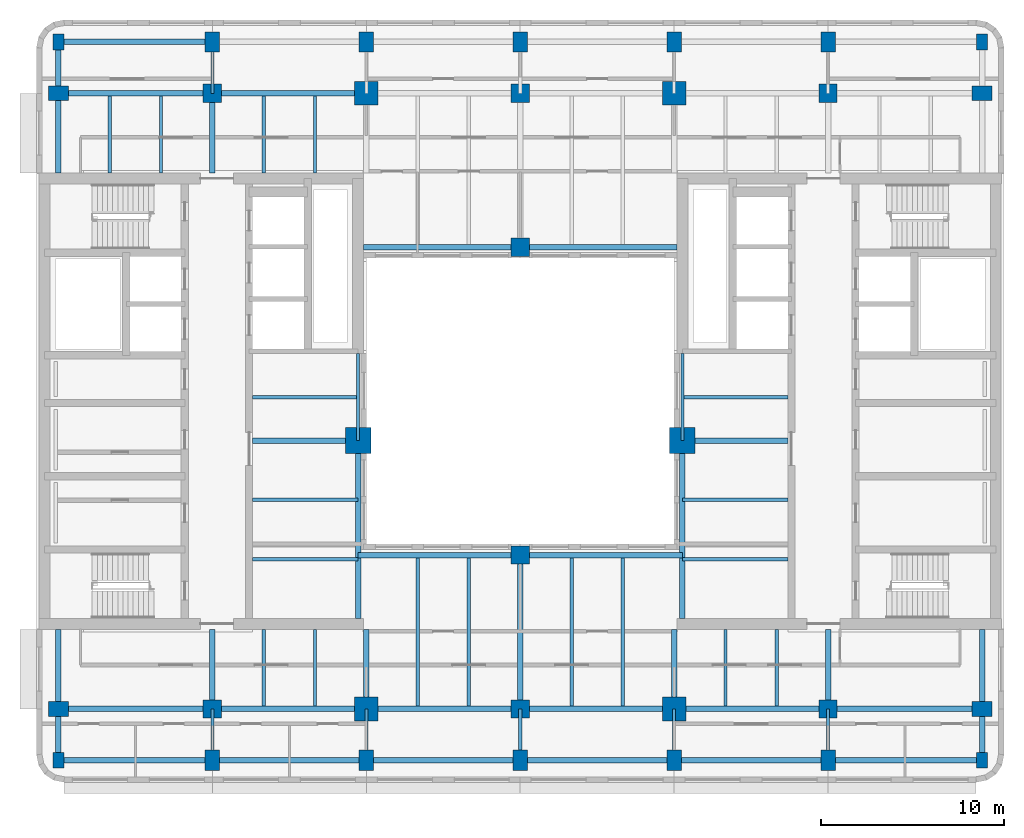
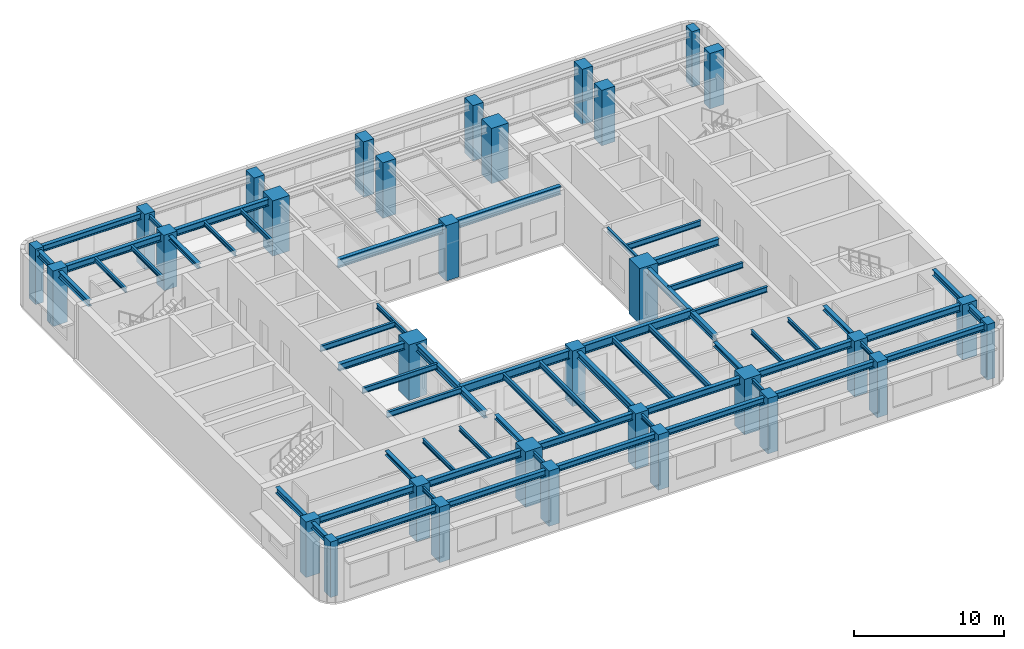
# One storey, part 1 of 11: 61 beams, 32 columns.
"""IFC4 building model written with IfcOpenShell, lengths in metres."""

from ifc_helpers import new_model, si_unit, direction, frame, origin, origin_2d, place, context, subcontext, project, spatial, rectangle, i_section, extrude, material, material_profile, profile_set, type_object, element, save


model = new_model("IFC4")

# Units and contexts
model_context = context("Model", 3, precision=1e-05, world=origin(), true_north=direction((0.0, 1.0)))
body_context = subcontext(model_context, "Body", "Model", "MODEL_VIEW")
ifc_project = project(units=[si_unit("LENGTHUNIT", "METRE"), si_unit("AREAUNIT", "SQUARE_METRE"), si_unit("VOLUMEUNIT", "CUBIC_METRE"), si_unit("PLANEANGLEUNIT", "RADIAN"), si_unit("MASSUNIT", "GRAM", prefix="KILO")], contexts=[model_context])

# Site, building, storey
site_placement = place(None, origin())
site = spatial("IfcSite", under=ifc_project, at=site_placement, CompositionType="ELEMENT")
building_placement = place(site_placement, origin())
building = spatial("IfcBuilding", under=site, at=building_placement, Name="Claustro Exchange Tower", CompositionType="ELEMENT")
storey_placement = place(building_placement, frame((0.0, 0.0, 259.199951171875)))
storey = spatial("IfcBuildingStorey", under=building, at=storey_placement, Name="L59", CompositionType="ELEMENT", Elevation=259.199951171875)

# Columns
ifc_material_1 = material(Name="Concrete HA-70 (C70/85)", Category="concrete")
ifc_material_profile_1 = material_profile(ifc_material_1, rectangle(XDim=1.39990234375, YDim=1.39990234375, at=origin_2d()), Name="RC 1400x1400")
ifc_profile_set_1 = profile_set([ifc_material_profile_1], Name="Concrete HA-70 (C70/85)")
column_type_1 = type_object("IfcColumnType", Name="C0 RC 1400x1400 HA-70 column", PredefinedType="COLUMN", material=ifc_profile_set_1)
for number, where, z_axis, x_axis, name in (
    (1, (16.35009765625, 23.050048828125, 0.0), (0.0, 0.0, 1.0), (1.0, 0.0, 0.0), "Column C0 2+7950/C+6250 L59"),
    (2, (34.050048828125, 23.050048828125, 0.0), (0.0, 0.0, 1.0), (1.0, 0.0, 0.0), "Column C0 5+450/C+6250 L59"),
):
    element("IfcColumn", number, at=place(storey_placement, frame(where, z_axis=z_axis, x_axis=x_axis)), inside=storey, type_object=column_type_1, Name=name, PredefinedType="COLUMN", context=body_context, shape_type="SweptSolid", body=[
        extrude(rectangle(XDim=1.39990234375, YDim=1.39990234375, at=origin_2d()), origin(), (0.0, 0.0, 1.0), 4.5),
    ])
ifc_material_2 = material(Name="Concrete HA-70 (C70/85)", Category="concrete")
ifc_material_profile_2 = material_profile(ifc_material_2, rectangle(XDim=1.0, YDim=1.0, at=origin_2d()), Name="RC 1000x1000")
ifc_profile_set_2 = profile_set([ifc_material_profile_2], Name="Concrete HA-70 (C70/85)")
column_type_2 = type_object("IfcColumnType", Name="C2 RC 1000x1000 HA-70 column", PredefinedType="COLUMN", material=ifc_profile_set_2)
for number, where, z_axis, x_axis, name in (
    (3, (8.39990234375, 8.39990234375, 0.0), (0.0, 0.0, 1.0), (1.0, 0.0, 0.0), "Column C2 2/B L59"),
    (4, (8.39990234375, 42.0, 0.0), (0.0, 0.0, 1.0), (1.0, 0.0, 0.0), "Column C2 2/F L59"),
    (5, (25.199951171875, 8.39990234375, 0.0), (0.0, 0.0, 1.0), (1.0, 0.0, 0.0), "Column C2 4/B L59"),
    (6, (25.199951171875, 42.0, 0.0), (0.0, 0.0, 1.0), (1.0, 0.0, 0.0), "Column C2 4/F L59"),
    (7, (25.199951171875, 16.800048828125, 0.0), (0.0, 0.0, 1.0), (1.0, 0.0, 0.0), "Column C2 4/C L59"),
    (8, (25.199951171875, 33.60009765625, 0.0), (0.0, 0.0, 1.0), (1.0, 0.0, 0.0), "Column C2 4/E L59"),
    (9, (42.0, 8.39990234375, 0.0), (0.0, 0.0, 1.0), (1.0, 0.0, 0.0), "Column C2 6/B L59"),
    (10, (42.0, 42.0, 0.0), (0.0, 0.0, 1.0), (1.0, 0.0, 0.0), "Column C2 6/F L59"),
):
    element("IfcColumn", number, at=place(storey_placement, frame(where, z_axis=z_axis, x_axis=x_axis)), inside=storey, type_object=column_type_2, Name=name, PredefinedType="COLUMN", context=body_context, shape_type="SweptSolid", body=[
        extrude(rectangle(XDim=1.0, YDim=1.0, at=origin_2d()), origin(), (0.0, 0.0, 1.0), 4.5),
    ])
ifc_material_3 = material(Name="Concrete HA-50 (C50/60)", Category="concrete")
ifc_material_profile_3 = material_profile(ifc_material_3, rectangle(XDim=0.800048828125, YDim=1.10009765625, at=origin_2d()), Name="RC 800x1100")
ifc_profile_set_3 = profile_set([ifc_material_profile_3], Name="Concrete HA-50 (C50/60)")
column_type_3 = type_object("IfcColumnType", Name="C23 RC 800x1100 HA-50 perimeter column", PredefinedType="COLUMN", material=ifc_profile_set_3)
for number, where, z_axis, x_axis, name in (
    (11, (0.0, 8.39990234375, 0.0), (0.0, 0.0, 1.0), (0.0, 1.0, 0.0), "Column C23 1/B L59"),
    (12, (0.0, 42.0, 0.0), (0.0, 0.0, 1.0), (0.0, 1.0, 0.0), "Column C23 1/F L59"),
    (13, (8.39990234375, 5.60009765625, 0.0), (0.0, 0.0, 1.0), (1.0, 0.0, 0.0), "Column C23 2/A+5600 L59"),
    (14, (8.39990234375, 44.800048828125, 0.0), (0.0, 0.0, 1.0), (1.0, 0.0, 0.0), "Column C23 2/F+2800 L59"),
    (15, (16.800048828125, 5.60009765625, 0.0), (0.0, 0.0, 1.0), (1.0, 0.0, 0.0), "Column C23 3/A+5600 L59"),
    (16, (16.800048828125, 44.800048828125, 0.0), (0.0, 0.0, 1.0), (1.0, 0.0, 0.0), "Column C23 3/F+2800 L59"),
    (17, (25.199951171875, 5.60009765625, 0.0), (0.0, 0.0, 1.0), (1.0, 0.0, 0.0), "Column C23 4/A+5600 L59"),
    (18, (25.199951171875, 44.800048828125, 0.0), (0.0, 0.0, 1.0), (1.0, 0.0, 0.0), "Column C23 4/F+2800 L59"),
    (19, (33.60009765625, 5.60009765625, 0.0), (0.0, 0.0, 1.0), (1.0, 0.0, 0.0), "Column C23 5/A+5600 L59"),
    (20, (33.60009765625, 44.800048828125, 0.0), (0.0, 0.0, 1.0), (1.0, 0.0, 0.0), "Column C23 5/F+2800 L59"),
    (21, (42.0, 5.60009765625, 0.0), (0.0, 0.0, 1.0), (1.0, 0.0, 0.0), "Column C23 6/A+5600 L59"),
    (22, (42.0, 44.800048828125, 0.0), (0.0, 0.0, 1.0), (1.0, 0.0, 0.0), "Column C23 6/F+2800 L59"),
    (23, (50.39990234375, 8.39990234375, 0.0), (0.0, 0.0, 1.0), (0.0, 1.0, 0.0), "Column C23 7/B L59"),
    (24, (50.39990234375, 42.0, 0.0), (0.0, 0.0, 1.0), (0.0, 1.0, 0.0), "Column C23 7/F L59"),
):
    element("IfcColumn", number, at=place(storey_placement, frame(where, z_axis=z_axis, x_axis=x_axis)), inside=storey, type_object=column_type_3, Name=name, PredefinedType="COLUMN", context=body_context, shape_type="SweptSolid", body=[
        extrude(rectangle(XDim=0.800048828125, YDim=1.10009765625, at=origin_2d()), origin(), (0.0, 0.0, 1.0), 4.5),
    ])
ifc_material_4 = material(Name="Concrete HA-50 (C50/60)", Category="concrete")
ifc_material_profile_4 = material_profile(ifc_material_4, rectangle(XDim=0.60009765625, YDim=0.85009765625, at=origin_2d()), Name="RC 600x850")
ifc_profile_set_4 = profile_set([ifc_material_profile_4], Name="Concrete HA-50 (C50/60)")
column_type_4 = type_object("IfcColumnType", Name="C25 RC 600x850 HA-50 corner column", PredefinedType="COLUMN", material=ifc_profile_set_4)
for number, where, z_axis, x_axis, name in (
    (25, (0.0, 5.60009765625, 0.0), (0.0, 0.0, 1.0), (1.0, 0.0, 0.0), "Column C25 1/A+5600 L59"),
    (26, (0.0, 44.800048828125, 0.0), (0.0, 0.0, 1.0), (1.0, 0.0, 0.0), "Column C25 1/F+2800 L59"),
    (27, (50.39990234375, 5.60009765625, 0.0), (0.0, 0.0, 1.0), (1.0, 0.0, 0.0), "Column C25 7/A+5600 L59"),
    (28, (50.39990234375, 44.800048828125, 0.0), (0.0, 0.0, 1.0), (1.0, 0.0, 0.0), "Column C25 7/F+2800 L59"),
):
    element("IfcColumn", number, at=place(storey_placement, frame(where, z_axis=z_axis, x_axis=x_axis)), inside=storey, type_object=column_type_4, Name=name, PredefinedType="COLUMN", context=body_context, shape_type="SweptSolid", body=[
        extrude(rectangle(XDim=0.60009765625, YDim=0.85009765625, at=origin_2d()), origin(), (0.0, 0.0, 1.0), 4.5),
    ])
ifc_material_5 = material(Name="Concrete HA-70 (C70/85)", Category="concrete")
ifc_material_profile_5 = material_profile(ifc_material_5, rectangle(XDim=1.300048828125, YDim=1.300048828125, at=origin_2d()), Name="RC 1300x1300")
ifc_profile_set_5 = profile_set([ifc_material_profile_5], Name="Concrete HA-70 (C70/85)")
column_type_5 = type_object("IfcColumnType", Name="C42 RC 1300x1300 HA-70 column", PredefinedType="COLUMN", material=ifc_profile_set_5)
for number, where, z_axis, x_axis, name in (
    (29, (16.800048828125, 8.39990234375, 0.0), (0.0, 0.0, 1.0), (1.0, 0.0, 0.0), "Column C42 3/B L59"),
    (30, (16.800048828125, 42.0, 0.0), (0.0, 0.0, 1.0), (1.0, 0.0, 0.0), "Column C42 3/F L59"),
    (31, (33.60009765625, 8.39990234375, 0.0), (0.0, 0.0, 1.0), (1.0, 0.0, 0.0), "Column C42 5/B L59"),
    (32, (33.60009765625, 42.0, 0.0), (0.0, 0.0, 1.0), (1.0, 0.0, 0.0), "Column C42 5/F L59"),
):
    element("IfcColumn", number, at=place(storey_placement, frame(where, z_axis=z_axis, x_axis=x_axis)), inside=storey, type_object=column_type_5, Name=name, PredefinedType="COLUMN", context=body_context, shape_type="SweptSolid", body=[
        extrude(rectangle(XDim=1.300048828125, YDim=1.300048828125, at=origin_2d()), origin(), (0.0, 0.0, 1.0), 4.5),
    ])

# Beams
ifc_material_6 = material(Name="Steel S355", Category="steel")
ifc_material_profile_6 = material_profile(ifc_material_6, i_section(OverallWidth=0.300048828125, OverallDepth=0.68994140625, WebThickness=0.014404296875, FlangeThickness=0.027099609375, FilletRadius=0.027099609375, at=origin_2d()), Name="HE 700 A")
ifc_profile_set_6 = profile_set([ifc_material_profile_6], Name="Steel S355")
beam_type_1 = type_object("IfcBeamType", Name="B13 HE 700 A light well edge girder", PredefinedType="BEAM", material=ifc_profile_set_6)
beam_1_placement = place(storey_placement, frame((16.35009765625, 16.800048828125, 4.005126953125), z_axis=(1.0, 0.0, 0.0), x_axis=(0.0, 1.0, 0.0)))
element("IfcBeam", 33, at=beam_1_placement, inside=storey, type_object=beam_type_1, Name="Beam B13 L60", PredefinedType="BEAM", context=body_context, shape_type="SweptSolid", body=[
    extrude(i_section(OverallWidth=0.300048828125, OverallDepth=0.68994140625, WebThickness=0.014404296875, FlangeThickness=0.027099609375, FilletRadius=0.027099609375, at=origin_2d()), origin(), (0.0, 0.0, 1.0), 8.849853515625),
])
beam_2_placement = place(storey_placement, frame((25.199951171875, 16.800048828125, 4.005126953125), z_axis=(1.0, 0.0, 0.0), x_axis=(0.0, 1.0, 0.0)))
element("IfcBeam", 34, at=beam_2_placement, inside=storey, type_object=beam_type_1, Name="Beam B13 L60", PredefinedType="BEAM", context=body_context, shape_type="SweptSolid", body=[
    extrude(i_section(OverallWidth=0.300048828125, OverallDepth=0.68994140625, WebThickness=0.014404296875, FlangeThickness=0.027099609375, FilletRadius=0.027099609375, at=origin_2d()), origin(), (0.0, 0.0, 1.0), 8.85009765625),
])
for number, where, z_axis, x_axis, name in (
    (35, (16.64990234375, 33.60009765625, 4.005126953125), (1.0, 0.0, 0.0), (0.0, 1.0, 0.0), "Beam B13 L60"),
    (36, (25.199951171875, 33.60009765625, 4.005126953125), (1.0, 0.0, 0.0), (0.0, 1.0, 0.0), "Beam B13 L60"),
):
    element("IfcBeam", number, at=place(storey_placement, frame(where, z_axis=z_axis, x_axis=x_axis)), inside=storey, type_object=beam_type_1, Name=name, PredefinedType="BEAM", context=body_context, shape_type="SweptSolid", body=[
        extrude(i_section(OverallWidth=0.300048828125, OverallDepth=0.68994140625, WebThickness=0.014404296875, FlangeThickness=0.027099609375, FilletRadius=0.027099609375, at=origin_2d()), origin(), (0.0, 0.0, 1.0), 8.550048828125),
    ])
ifc_material_7 = material(Name="Steel S355", Category="steel")
ifc_material_profile_7 = material_profile(ifc_material_7, i_section(OverallWidth=0.169921875, OverallDepth=0.360107421875, WebThickness=0.008056640625, FlangeThickness=0.0126953125, FilletRadius=0.01806640625, at=origin_2d()), Name="IPE 360")
ifc_profile_set_7 = profile_set([ifc_material_profile_7], Name="Steel S355")
beam_type_2 = type_object("IfcBeamType", Name="B16 IPE 360 short-span beam", PredefinedType="BEAM", material=ifc_profile_set_7)
beam_3_placement = place(storey_placement, frame((8.39990234375, 5.60009765625, 4.170166015625), z_axis=(0.0, 1.0, 0.0), x_axis=(-1.0, 0.0, 0.0)))
element("IfcBeam", 37, at=beam_3_placement, inside=storey, type_object=beam_type_2, Name="Beam B16 L60", PredefinedType="BEAM", context=body_context, shape_type="SweptSolid", body=[
    extrude(i_section(OverallWidth=0.169921875, OverallDepth=0.360107421875, WebThickness=0.008056640625, FlangeThickness=0.0126953125, FilletRadius=0.01806640625, at=origin_2d()), origin(), (0.0, 0.0, 1.0), 2.7998046875),
])
beam_4_placement = place(storey_placement, frame((8.39990234375, 42.0, 4.170166015625), z_axis=(0.0, 1.0, 0.0), x_axis=(-1.0, 0.0, 0.0)))
element("IfcBeam", 38, at=beam_4_placement, inside=storey, type_object=beam_type_2, Name="Beam B16 L60", PredefinedType="BEAM", context=body_context, shape_type="SweptSolid", body=[
    extrude(i_section(OverallWidth=0.169921875, OverallDepth=0.360107421875, WebThickness=0.008056640625, FlangeThickness=0.0126953125, FilletRadius=0.01806640625, at=origin_2d()), origin(), (0.0, 0.0, 1.0), 2.800048828125),
])
for number, where, z_axis, x_axis, name in (
    (39, (16.800048828125, 5.60009765625, 4.170166015625), (0.0, 1.0, 0.0), (-1.0, 0.0, 0.0), "Beam B16 L60"),
    (40, (25.199951171875, 5.60009765625, 4.170166015625), (0.0, 1.0, 0.0), (-1.0, 0.0, 0.0), "Beam B16 L60"),
    (41, (33.60009765625, 5.60009765625, 4.170166015625), (0.0, 1.0, 0.0), (-1.0, 0.0, 0.0), "Beam B16 L60"),
    (42, (42.0, 5.60009765625, 4.170166015625), (0.0, 1.0, 0.0), (-1.0, 0.0, 0.0), "Beam B16 L60"),
):
    element("IfcBeam", number, at=place(storey_placement, frame(where, z_axis=z_axis, x_axis=x_axis)), inside=storey, type_object=beam_type_2, Name=name, PredefinedType="BEAM", context=body_context, shape_type="SweptSolid", body=[
        extrude(i_section(OverallWidth=0.169921875, OverallDepth=0.360107421875, WebThickness=0.008056640625, FlangeThickness=0.0126953125, FilletRadius=0.01806640625, at=origin_2d()), origin(), (0.0, 0.0, 1.0), 2.7998046875),
    ])
for number, where, z_axis, x_axis, name in (
    (43, (2.800048828125, 37.64990234375, 4.170166015625), (0.0, 1.0, 0.0), (-1.0, 0.0, 0.0), "Beam B16 L60"),
    (44, (5.60009765625, 37.64990234375, 4.170166015625), (0.0, 1.0, 0.0), (-1.0, 0.0, 0.0), "Beam B16 L60"),
):
    element("IfcBeam", number, at=place(storey_placement, frame(where, z_axis=z_axis, x_axis=x_axis)), inside=storey, type_object=beam_type_2, Name=name, PredefinedType="BEAM", context=body_context, shape_type="SweptSolid", body=[
        extrude(i_section(OverallWidth=0.169921875, OverallDepth=0.360107421875, WebThickness=0.008056640625, FlangeThickness=0.0126953125, FilletRadius=0.01806640625, at=origin_2d()), origin(), (0.0, 0.0, 1.0), 4.2001953125),
    ])
for number, where, z_axis, x_axis, name in (
    (45, (11.199951171875, 8.550048828125, 4.170166015625), (0.0, 1.0, 0.0), (-1.0, 0.0, 0.0), "Beam B16 L60"),
    (46, (14.0, 8.550048828125, 4.170166015625), (0.0, 1.0, 0.0), (-1.0, 0.0, 0.0), "Beam B16 L60"),
):
    element("IfcBeam", number, at=place(storey_placement, frame(where, z_axis=z_axis, x_axis=x_axis)), inside=storey, type_object=beam_type_2, Name=name, PredefinedType="BEAM", context=body_context, shape_type="SweptSolid", body=[
        extrude(i_section(OverallWidth=0.169921875, OverallDepth=0.360107421875, WebThickness=0.008056640625, FlangeThickness=0.0126953125, FilletRadius=0.01806640625, at=origin_2d()), origin(), (0.0, 0.0, 1.0), 4.199951171875),
    ])
for number, where, z_axis, x_axis, name in (
    (47, (11.199951171875, 37.64990234375, 4.170166015625), (0.0, 1.0, 0.0), (-1.0, 0.0, 0.0), "Beam B16 L60"),
    (48, (14.0, 37.64990234375, 4.170166015625), (0.0, 1.0, 0.0), (-1.0, 0.0, 0.0), "Beam B16 L60"),
):
    element("IfcBeam", number, at=place(storey_placement, frame(where, z_axis=z_axis, x_axis=x_axis)), inside=storey, type_object=beam_type_2, Name=name, PredefinedType="BEAM", context=body_context, shape_type="SweptSolid", body=[
        extrude(i_section(OverallWidth=0.169921875, OverallDepth=0.360107421875, WebThickness=0.008056640625, FlangeThickness=0.0126953125, FilletRadius=0.01806640625, at=origin_2d()), origin(), (0.0, 0.0, 1.0), 4.2001953125),
    ])
for number, where, z_axis, x_axis, name in (
    (49, (36.39990234375, 8.550048828125, 4.170166015625), (0.0, 1.0, 0.0), (-1.0, 0.0, 0.0), "Beam B16 L60"),
    (50, (39.199951171875, 8.550048828125, 4.170166015625), (0.0, 1.0, 0.0), (-1.0, 0.0, 0.0), "Beam B16 L60"),
):
    element("IfcBeam", number, at=place(storey_placement, frame(where, z_axis=z_axis, x_axis=x_axis)), inside=storey, type_object=beam_type_2, Name=name, PredefinedType="BEAM", context=body_context, shape_type="SweptSolid", body=[
        extrude(i_section(OverallWidth=0.169921875, OverallDepth=0.360107421875, WebThickness=0.008056640625, FlangeThickness=0.0126953125, FilletRadius=0.01806640625, at=origin_2d()), origin(), (0.0, 0.0, 1.0), 4.199951171875),
    ])
for number, where, z_axis, x_axis, name in (
    (51, (16.35009765625, 23.050048828125, 4.170166015625), (0.0, 1.0, 0.0), (-1.0, 0.0, 0.0), "Beam B16 core step framing L60"),
    (52, (34.050048828125, 23.050048828125, 4.170166015625), (0.0, 1.0, 0.0), (-1.0, 0.0, 0.0), "Beam B16 core step framing L60"),
):
    element("IfcBeam", number, at=place(storey_placement, frame(where, z_axis=z_axis, x_axis=x_axis)), inside=storey, type_object=beam_type_2, Name=name, PredefinedType="BEAM", context=body_context, shape_type="SweptSolid", body=[
        extrude(i_section(OverallWidth=0.169921875, OverallDepth=0.360107421875, WebThickness=0.008056640625, FlangeThickness=0.0126953125, FilletRadius=0.01806640625, at=origin_2d()), origin(), (0.0, 0.0, 1.0), 4.75),
    ])
ifc_material_8 = material(Name="Steel S355", Category="steel")
ifc_material_profile_8 = material_profile(ifc_material_8, i_section(OverallWidth=0.300048828125, OverallDepth=0.550048828125, WebThickness=0.014892578125, FlangeThickness=0.029052734375, FilletRadius=0.027099609375, at=origin_2d()), Name="HE 550 B")
ifc_profile_set_8 = profile_set([ifc_material_profile_8], Name="Steel S355")
beam_type_3 = type_object("IfcBeamType", Name="B17 HE 550 B floor girder", PredefinedType="BEAM", material=ifc_profile_set_8)
beam_5_placement = place(storey_placement, frame((25.199951171875, 8.39990234375, 4.074951171875), z_axis=(0.0, 1.0, 0.0), x_axis=(-1.0, 0.0, 0.0)))
element("IfcBeam", 53, at=beam_5_placement, inside=storey, type_object=beam_type_3, Name="Beam B17 L60", PredefinedType="BEAM", context=body_context, shape_type="SweptSolid", body=[
    extrude(i_section(OverallWidth=0.300048828125, OverallDepth=0.550048828125, WebThickness=0.014892578125, FlangeThickness=0.029052734375, FilletRadius=0.027099609375, at=origin_2d()), origin(), (0.0, 0.0, 1.0), 8.400146484375),
])
beam_6_placement = place(storey_placement, frame((0.0, 8.39990234375, 4.074951171875), z_axis=(1.0, 0.0, 0.0), x_axis=(0.0, 1.0, 0.0)))
element("IfcBeam", 54, at=beam_6_placement, inside=storey, type_object=beam_type_3, Name="Beam B17 L60", PredefinedType="BEAM", context=body_context, shape_type="SweptSolid", body=[
    extrude(i_section(OverallWidth=0.300048828125, OverallDepth=0.550048828125, WebThickness=0.014892578125, FlangeThickness=0.029052734375, FilletRadius=0.027099609375, at=origin_2d()), origin(), (0.0, 0.0, 1.0), 8.39990234375),
])
beam_7_placement = place(storey_placement, frame((8.39990234375, 8.39990234375, 4.074951171875), z_axis=(1.0, 0.0, 0.0), x_axis=(0.0, 1.0, 0.0)))
element("IfcBeam", 55, at=beam_7_placement, inside=storey, type_object=beam_type_3, Name="Beam B17 L60", PredefinedType="BEAM", context=body_context, shape_type="SweptSolid", body=[
    extrude(i_section(OverallWidth=0.300048828125, OverallDepth=0.550048828125, WebThickness=0.014892578125, FlangeThickness=0.029052734375, FilletRadius=0.027099609375, at=origin_2d()), origin(), (0.0, 0.0, 1.0), 8.400146484375),
])
beam_8_placement = place(storey_placement, frame((16.800048828125, 8.39990234375, 4.074951171875), z_axis=(1.0, 0.0, 0.0), x_axis=(0.0, 1.0, 0.0)))
element("IfcBeam", 56, at=beam_8_placement, inside=storey, type_object=beam_type_3, Name="Beam B17 L60", PredefinedType="BEAM", context=body_context, shape_type="SweptSolid", body=[
    extrude(i_section(OverallWidth=0.300048828125, OverallDepth=0.550048828125, WebThickness=0.014892578125, FlangeThickness=0.029052734375, FilletRadius=0.027099609375, at=origin_2d()), origin(), (0.0, 0.0, 1.0), 8.39990234375),
])
beam_9_placement = place(storey_placement, frame((25.199951171875, 8.39990234375, 4.074951171875), z_axis=(1.0, 0.0, 0.0), x_axis=(0.0, 1.0, 0.0)))
element("IfcBeam", 57, at=beam_9_placement, inside=storey, type_object=beam_type_3, Name="Beam B17 L60", PredefinedType="BEAM", context=body_context, shape_type="SweptSolid", body=[
    extrude(i_section(OverallWidth=0.300048828125, OverallDepth=0.550048828125, WebThickness=0.014892578125, FlangeThickness=0.029052734375, FilletRadius=0.027099609375, at=origin_2d()), origin(), (0.0, 0.0, 1.0), 8.400146484375),
])
for number, where, z_axis, x_axis, name in (
    (58, (33.60009765625, 8.39990234375, 4.074951171875), (1.0, 0.0, 0.0), (0.0, 1.0, 0.0), "Beam B17 L60"),
    (59, (42.0, 8.39990234375, 4.074951171875), (1.0, 0.0, 0.0), (0.0, 1.0, 0.0), "Beam B17 L60"),
    (60, (0.0, 42.0, 4.074951171875), (1.0, 0.0, 0.0), (0.0, 1.0, 0.0), "Beam B17 L60"),
):
    element("IfcBeam", number, at=place(storey_placement, frame(where, z_axis=z_axis, x_axis=x_axis)), inside=storey, type_object=beam_type_3, Name=name, PredefinedType="BEAM", context=body_context, shape_type="SweptSolid", body=[
        extrude(i_section(OverallWidth=0.300048828125, OverallDepth=0.550048828125, WebThickness=0.014892578125, FlangeThickness=0.029052734375, FilletRadius=0.027099609375, at=origin_2d()), origin(), (0.0, 0.0, 1.0), 8.39990234375),
    ])
beam_10_placement = place(storey_placement, frame((8.39990234375, 42.0, 4.074951171875), z_axis=(1.0, 0.0, 0.0), x_axis=(0.0, 1.0, 0.0)))
element("IfcBeam", 61, at=beam_10_placement, inside=storey, type_object=beam_type_3, Name="Beam B17 L60", PredefinedType="BEAM", context=body_context, shape_type="SweptSolid", body=[
    extrude(i_section(OverallWidth=0.300048828125, OverallDepth=0.550048828125, WebThickness=0.014892578125, FlangeThickness=0.029052734375, FilletRadius=0.027099609375, at=origin_2d()), origin(), (0.0, 0.0, 1.0), 8.400146484375),
])
beam_11_placement = place(storey_placement, frame((10.60009765625, 23.050048828125, 4.074951171875), z_axis=(1.0, 0.0, 0.0), x_axis=(0.0, 1.0, 0.0)))
element("IfcBeam", 62, at=beam_11_placement, inside=storey, type_object=beam_type_3, Name="Beam B17 core step framing L60", PredefinedType="BEAM", context=body_context, shape_type="SweptSolid", body=[
    extrude(i_section(OverallWidth=0.300048828125, OverallDepth=0.550048828125, WebThickness=0.014892578125, FlangeThickness=0.029052734375, FilletRadius=0.027099609375, at=origin_2d()), origin(), (0.0, 0.0, 1.0), 5.75),
])
beam_12_placement = place(storey_placement, frame((16.35009765625, 13.35009765625, 4.074951171875), z_axis=(0.0, 1.0, 0.0), x_axis=(-1.0, 0.0, 0.0)))
element("IfcBeam", 63, at=beam_12_placement, inside=storey, type_object=beam_type_3, Name="Beam B17 core step framing L60", PredefinedType="BEAM", context=body_context, shape_type="SweptSolid", body=[
    extrude(i_section(OverallWidth=0.300048828125, OverallDepth=0.550048828125, WebThickness=0.014892578125, FlangeThickness=0.029052734375, FilletRadius=0.027099609375, at=origin_2d()), origin(), (0.0, 0.0, 1.0), 9.699951171875),
])
beam_13_placement = place(storey_placement, frame((34.050048828125, 23.050048828125, 4.074951171875), z_axis=(1.0, 0.0, 0.0), x_axis=(0.0, 1.0, 0.0)))
element("IfcBeam", 64, at=beam_13_placement, inside=storey, type_object=beam_type_3, Name="Beam B17 core step framing L60", PredefinedType="BEAM", context=body_context, shape_type="SweptSolid", body=[
    extrude(i_section(OverallWidth=0.300048828125, OverallDepth=0.550048828125, WebThickness=0.014892578125, FlangeThickness=0.029052734375, FilletRadius=0.027099609375, at=origin_2d()), origin(), (0.0, 0.0, 1.0), 5.75),
])
beam_14_placement = place(storey_placement, frame((34.050048828125, 13.35009765625, 4.074951171875), z_axis=(0.0, 1.0, 0.0), x_axis=(-1.0, 0.0, 0.0)))
element("IfcBeam", 65, at=beam_14_placement, inside=storey, type_object=beam_type_3, Name="Beam B17 core step framing L60", PredefinedType="BEAM", context=body_context, shape_type="SweptSolid", body=[
    extrude(i_section(OverallWidth=0.300048828125, OverallDepth=0.550048828125, WebThickness=0.014892578125, FlangeThickness=0.029052734375, FilletRadius=0.027099609375, at=origin_2d()), origin(), (0.0, 0.0, 1.0), 9.699951171875),
])
ifc_material_9 = material(Name="Steel S355", Category="steel")
ifc_material_profile_9 = material_profile(ifc_material_9, i_section(OverallWidth=0.300048828125, OverallDepth=0.360107421875, WebThickness=0.012451171875, FlangeThickness=0.0224609375, FilletRadius=0.027099609375, at=origin_2d()), Name="HE 360 B")
ifc_profile_set_9 = profile_set([ifc_material_profile_9], Name="Steel S355")
beam_type_4 = type_object("IfcBeamType", Name="B29 HE 360 B column to core link beam", PredefinedType="BEAM", material=ifc_profile_set_9)
for number, where, z_axis, x_axis, name in (
    (66, (8.39990234375, 8.39990234375, 4.170166015625), (0.0, 1.0, 0.0), (-1.0, 0.0, 0.0), "Beam B29 L60"),
    (67, (8.39990234375, 37.64990234375, 4.170166015625), (0.0, 1.0, 0.0), (-1.0, 0.0, 0.0), "Beam B29 L60"),
    (68, (16.800048828125, 8.39990234375, 4.170166015625), (0.0, 1.0, 0.0), (-1.0, 0.0, 0.0), "Beam B29 L60"),
    (69, (33.60009765625, 8.39990234375, 4.170166015625), (0.0, 1.0, 0.0), (-1.0, 0.0, 0.0), "Beam B29 L60"),
    (70, (42.0, 8.39990234375, 4.170166015625), (0.0, 1.0, 0.0), (-1.0, 0.0, 0.0), "Beam B29 L60"),
):
    element("IfcBeam", number, at=place(storey_placement, frame(where, z_axis=z_axis, x_axis=x_axis)), inside=storey, type_object=beam_type_4, Name=name, PredefinedType="BEAM", context=body_context, shape_type="SweptSolid", body=[
        extrude(i_section(OverallWidth=0.300048828125, OverallDepth=0.360107421875, WebThickness=0.012451171875, FlangeThickness=0.0224609375, FilletRadius=0.027099609375, at=origin_2d()), origin(), (0.0, 0.0, 1.0), 4.35009765625),
    ])
ifc_material_10 = material(Name="Steel S355", Category="steel")
ifc_material_profile_10 = material_profile(ifc_material_10, i_section(OverallWidth=0.18994140625, OverallDepth=0.449951171875, WebThickness=0.009521484375, FlangeThickness=0.0146484375, FilletRadius=0.02099609375, at=origin_2d()), Name="IPE 450")
ifc_profile_set_10 = profile_set([ifc_material_profile_10], Name="Steel S355")
beam_type_5 = type_object("IfcBeamType", Name="B8 IPE 450 secondary beam", PredefinedType="BEAM", material=ifc_profile_set_10)
for number, where, z_axis, x_axis, name in (
    (71, (19.60009765625, 8.550048828125, 4.125), (0.0, 1.0, 0.0), (-1.0, 0.0, 0.0), "Beam B8 L60"),
    (72, (22.39990234375, 8.550048828125, 4.125), (0.0, 1.0, 0.0), (-1.0, 0.0, 0.0), "Beam B8 L60"),
    (73, (28.0, 8.550048828125, 4.125), (0.0, 1.0, 0.0), (-1.0, 0.0, 0.0), "Beam B8 L60"),
    (74, (30.800048828125, 8.550048828125, 4.125), (0.0, 1.0, 0.0), (-1.0, 0.0, 0.0), "Beam B8 L60"),
):
    element("IfcBeam", number, at=place(storey_placement, frame(where, z_axis=z_axis, x_axis=x_axis)), inside=storey, type_object=beam_type_5, Name=name, PredefinedType="BEAM", context=body_context, shape_type="SweptSolid", body=[
        extrude(i_section(OverallWidth=0.18994140625, OverallDepth=0.449951171875, WebThickness=0.009521484375, FlangeThickness=0.0146484375, FilletRadius=0.02099609375, at=origin_2d()), origin(), (0.0, 0.0, 1.0), 8.099853515625),
    ])
for number, where, z_axis, x_axis, name in (
    (75, (10.60009765625, 16.583251953125, 4.125), (1.0, 0.0, 0.0), (0.0, 1.0, 0.0), "Beam B8 core step framing L60"),
    (76, (10.60009765625, 19.816650390625, 4.125), (1.0, 0.0, 0.0), (0.0, 1.0, 0.0), "Beam B8 core step framing L60"),
    (77, (10.60009765625, 25.425048828125, 4.125), (1.0, 0.0, 0.0), (0.0, 1.0, 0.0), "Beam B8 core step framing L60"),
    (78, (34.050048828125, 16.583251953125, 4.125), (1.0, 0.0, 0.0), (0.0, 1.0, 0.0), "Beam B8 core step framing L60"),
    (79, (34.050048828125, 19.816650390625, 4.125), (1.0, 0.0, 0.0), (0.0, 1.0, 0.0), "Beam B8 core step framing L60"),
    (80, (34.050048828125, 25.425048828125, 4.125), (1.0, 0.0, 0.0), (0.0, 1.0, 0.0), "Beam B8 core step framing L60"),
):
    element("IfcBeam", number, at=place(storey_placement, frame(where, z_axis=z_axis, x_axis=x_axis)), inside=storey, type_object=beam_type_5, Name=name, PredefinedType="BEAM", context=body_context, shape_type="SweptSolid", body=[
        extrude(i_section(OverallWidth=0.18994140625, OverallDepth=0.449951171875, WebThickness=0.009521484375, FlangeThickness=0.0146484375, FilletRadius=0.02099609375, at=origin_2d()), origin(), (0.0, 0.0, 1.0), 5.75),
    ])
ifc_material_11 = material(Name="Steel S355", Category="steel")
ifc_material_profile_11 = material_profile(ifc_material_11, i_section(OverallWidth=0.300048828125, OverallDepth=0.489990234375, WebThickness=0.011962890625, FlangeThickness=0.02294921875, FilletRadius=0.027099609375, at=origin_2d()), Name="HE 500 A")
ifc_profile_set_11 = profile_set([ifc_material_profile_11], Name="Steel S355")
beam_type_6 = type_object("IfcBeamType", Name="B9 HE 500 A spandrel edge girder", PredefinedType="SPANDREL", material=ifc_profile_set_11)
beam_15_placement = place(storey_placement, frame((0.0, 5.60009765625, 4.10498046875), z_axis=(0.0, 1.0, 0.0), x_axis=(-1.0, 0.0, 0.0)))
element("IfcBeam", 81, at=beam_15_placement, inside=storey, type_object=beam_type_6, Name="Beam B9 L60", PredefinedType="SPANDREL", context=body_context, shape_type="SweptSolid", body=[
    extrude(i_section(OverallWidth=0.300048828125, OverallDepth=0.489990234375, WebThickness=0.011962890625, FlangeThickness=0.02294921875, FilletRadius=0.027099609375, at=origin_2d()), origin(), (0.0, 0.0, 1.0), 2.7998046875),
])
for number, where, z_axis, x_axis, name in (
    (82, (0.0, 8.39990234375, 4.10498046875), (0.0, 1.0, 0.0), (-1.0, 0.0, 0.0), "Beam B9 L60"),
    (83, (0.0, 37.64990234375, 4.10498046875), (0.0, 1.0, 0.0), (-1.0, 0.0, 0.0), "Beam B9 L60"),
):
    element("IfcBeam", number, at=place(storey_placement, frame(where, z_axis=z_axis, x_axis=x_axis)), inside=storey, type_object=beam_type_6, Name=name, PredefinedType="SPANDREL", context=body_context, shape_type="SweptSolid", body=[
        extrude(i_section(OverallWidth=0.300048828125, OverallDepth=0.489990234375, WebThickness=0.011962890625, FlangeThickness=0.02294921875, FilletRadius=0.027099609375, at=origin_2d()), origin(), (0.0, 0.0, 1.0), 4.35009765625),
    ])
beam_16_placement = place(storey_placement, frame((0.0, 42.0, 4.10498046875), z_axis=(0.0, 1.0, 0.0), x_axis=(-1.0, 0.0, 0.0)))
element("IfcBeam", 84, at=beam_16_placement, inside=storey, type_object=beam_type_6, Name="Beam B9 L60", PredefinedType="SPANDREL", context=body_context, shape_type="SweptSolid", body=[
    extrude(i_section(OverallWidth=0.300048828125, OverallDepth=0.489990234375, WebThickness=0.011962890625, FlangeThickness=0.02294921875, FilletRadius=0.027099609375, at=origin_2d()), origin(), (0.0, 0.0, 1.0), 2.800048828125),
])
beam_17_placement = place(storey_placement, frame((50.39990234375, 5.60009765625, 4.10498046875), z_axis=(0.0, 1.0, 0.0), x_axis=(-1.0, 0.0, 0.0)))
element("IfcBeam", 85, at=beam_17_placement, inside=storey, type_object=beam_type_6, Name="Beam B9 L60", PredefinedType="SPANDREL", context=body_context, shape_type="SweptSolid", body=[
    extrude(i_section(OverallWidth=0.300048828125, OverallDepth=0.489990234375, WebThickness=0.011962890625, FlangeThickness=0.02294921875, FilletRadius=0.027099609375, at=origin_2d()), origin(), (0.0, 0.0, 1.0), 2.7998046875),
])
beam_18_placement = place(storey_placement, frame((50.39990234375, 8.39990234375, 4.10498046875), z_axis=(0.0, 1.0, 0.0), x_axis=(-1.0, 0.0, 0.0)))
element("IfcBeam", 86, at=beam_18_placement, inside=storey, type_object=beam_type_6, Name="Beam B9 L60", PredefinedType="SPANDREL", context=body_context, shape_type="SweptSolid", body=[
    extrude(i_section(OverallWidth=0.300048828125, OverallDepth=0.489990234375, WebThickness=0.011962890625, FlangeThickness=0.02294921875, FilletRadius=0.027099609375, at=origin_2d()), origin(), (0.0, 0.0, 1.0), 4.35009765625),
])
beam_19_placement = place(storey_placement, frame((0.0, 5.60009765625, 4.10498046875), z_axis=(1.0, 0.0, 0.0), x_axis=(0.0, 1.0, 0.0)))
element("IfcBeam", 87, at=beam_19_placement, inside=storey, type_object=beam_type_6, Name="Beam B9 L60", PredefinedType="SPANDREL", context=body_context, shape_type="SweptSolid", body=[
    extrude(i_section(OverallWidth=0.300048828125, OverallDepth=0.489990234375, WebThickness=0.011962890625, FlangeThickness=0.02294921875, FilletRadius=0.027099609375, at=origin_2d()), origin(), (0.0, 0.0, 1.0), 8.39990234375),
])
beam_20_placement = place(storey_placement, frame((8.39990234375, 5.60009765625, 4.10498046875), z_axis=(1.0, 0.0, 0.0), x_axis=(0.0, 1.0, 0.0)))
element("IfcBeam", 88, at=beam_20_placement, inside=storey, type_object=beam_type_6, Name="Beam B9 L60", PredefinedType="SPANDREL", context=body_context, shape_type="SweptSolid", body=[
    extrude(i_section(OverallWidth=0.300048828125, OverallDepth=0.489990234375, WebThickness=0.011962890625, FlangeThickness=0.02294921875, FilletRadius=0.027099609375, at=origin_2d()), origin(), (0.0, 0.0, 1.0), 8.400146484375),
])
beam_21_placement = place(storey_placement, frame((16.800048828125, 5.60009765625, 4.10498046875), z_axis=(1.0, 0.0, 0.0), x_axis=(0.0, 1.0, 0.0)))
element("IfcBeam", 89, at=beam_21_placement, inside=storey, type_object=beam_type_6, Name="Beam B9 L60", PredefinedType="SPANDREL", context=body_context, shape_type="SweptSolid", body=[
    extrude(i_section(OverallWidth=0.300048828125, OverallDepth=0.489990234375, WebThickness=0.011962890625, FlangeThickness=0.02294921875, FilletRadius=0.027099609375, at=origin_2d()), origin(), (0.0, 0.0, 1.0), 8.39990234375),
])
beam_22_placement = place(storey_placement, frame((25.199951171875, 5.60009765625, 4.10498046875), z_axis=(1.0, 0.0, 0.0), x_axis=(0.0, 1.0, 0.0)))
element("IfcBeam", 90, at=beam_22_placement, inside=storey, type_object=beam_type_6, Name="Beam B9 L60", PredefinedType="SPANDREL", context=body_context, shape_type="SweptSolid", body=[
    extrude(i_section(OverallWidth=0.300048828125, OverallDepth=0.489990234375, WebThickness=0.011962890625, FlangeThickness=0.02294921875, FilletRadius=0.027099609375, at=origin_2d()), origin(), (0.0, 0.0, 1.0), 8.400146484375),
])
for number, where, z_axis, x_axis, name in (
    (91, (33.60009765625, 5.60009765625, 4.10498046875), (1.0, 0.0, 0.0), (0.0, 1.0, 0.0), "Beam B9 L60"),
    (92, (42.0, 5.60009765625, 4.10498046875), (1.0, 0.0, 0.0), (0.0, 1.0, 0.0), "Beam B9 L60"),
    (93, (0.0, 44.800048828125, 4.10498046875), (1.0, 0.0, 0.0), (0.0, 1.0, 0.0), "Beam B9 L60"),
):
    element("IfcBeam", number, at=place(storey_placement, frame(where, z_axis=z_axis, x_axis=x_axis)), inside=storey, type_object=beam_type_6, Name=name, PredefinedType="SPANDREL", context=body_context, shape_type="SweptSolid", body=[
        extrude(i_section(OverallWidth=0.300048828125, OverallDepth=0.489990234375, WebThickness=0.011962890625, FlangeThickness=0.02294921875, FilletRadius=0.027099609375, at=origin_2d()), origin(), (0.0, 0.0, 1.0), 8.39990234375),
    ])

save(model, "model.ifc")
